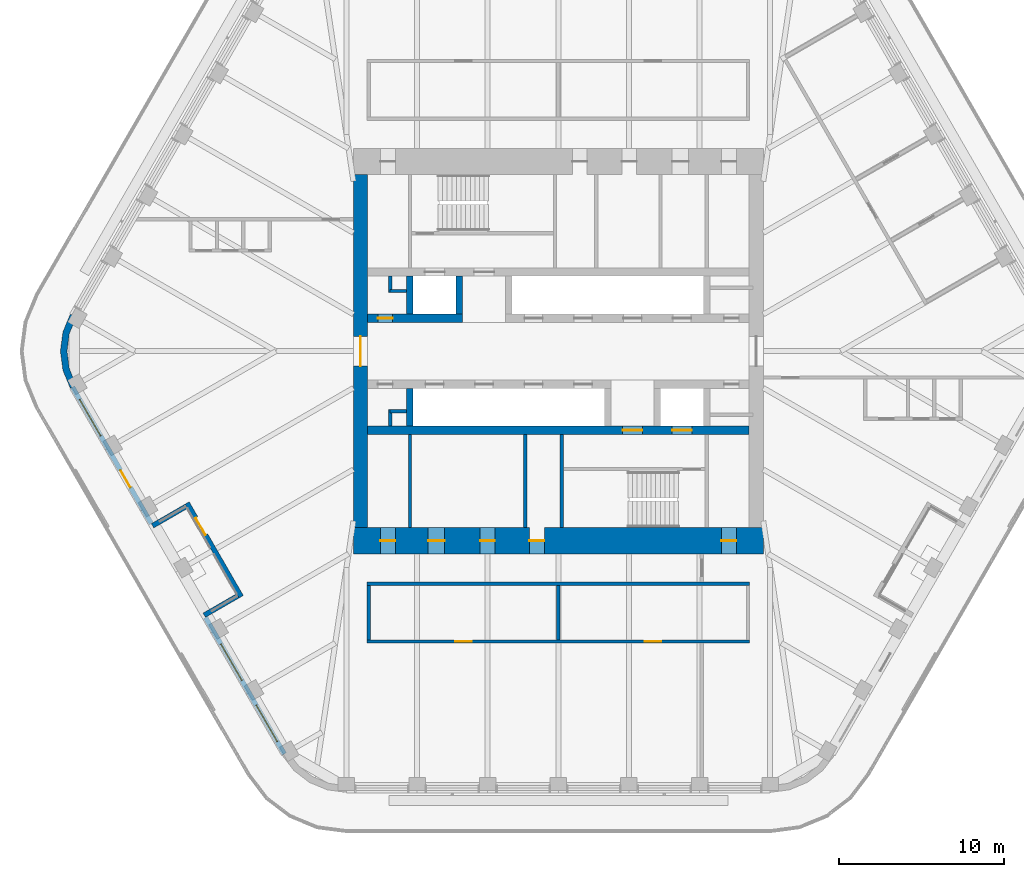
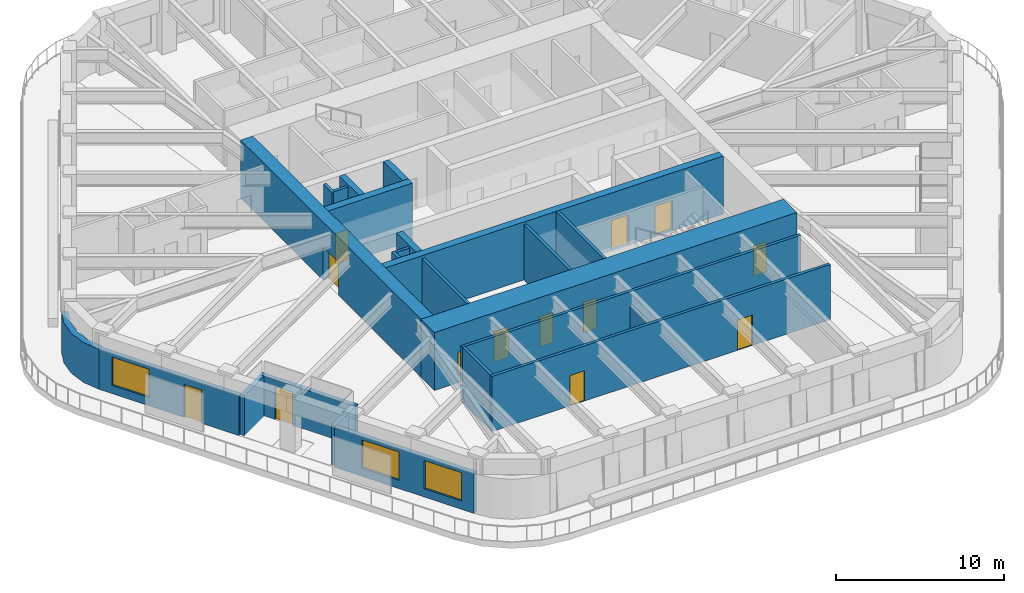
# One storey, part 13 of 19: 24 walls, 13 doors, 3 windows, 16 openings.
"""IFC4 building model written with IfcOpenShell, lengths in metres."""

from ifc_helpers import new_model, si_unit, direction, frame, frame_2d, origin, place, context, subcontext, project, spatial, polyline, rectangle, outline, extrude, material, layer, layer_set, type_object, element, fill, save


model = new_model("IFC4")

# Units and contexts
model_context = context("Model", 3, precision=1e-05, world=origin(), true_north=direction((0.0, 1.0)))
body_context = subcontext(model_context, "Body", "Model", "MODEL_VIEW")
ifc_project = project(units=[si_unit("LENGTHUNIT", "METRE"), si_unit("AREAUNIT", "SQUARE_METRE"), si_unit("VOLUMEUNIT", "CUBIC_METRE"), si_unit("PLANEANGLEUNIT", "RADIAN"), si_unit("MASSUNIT", "GRAM", prefix="KILO")], contexts=[model_context])

# Site, building, storey
site_placement = place(None, origin())
site = spatial("IfcSite", under=ifc_project, at=site_placement, CompositionType="ELEMENT")
building_placement = place(site_placement, origin())
building = spatial("IfcBuilding", under=site, at=building_placement, Name="Tarfa Lantern Tower", CompositionType="ELEMENT")
storey_placement = place(building_placement, frame((0.0, 0.0, 340.89990234375)))
storey = spatial("IfcBuildingStorey", under=building, at=storey_placement, Name="L77", CompositionType="ELEMENT", Elevation=340.89990234375)

# Wall, openings, door, window
ifc_material_1 = material(Name="Limestone cladding on blockwork", Category="masonry")
ifc_layer_1 = layer(ifc_material_1, 0.300048828125)
ifc_layer_set_1 = layer_set([ifc_layer_1], Name="EW1 STONE-CLAD WALL 300")
wall_type_1 = type_object("IfcWallType", Name="EW1 STONE-CLAD WALL 300", PredefinedType="SOLIDWALL", material=ifc_layer_set_1)
wall_1_placement = place(storey_placement, frame((-29.459228515625, -2.175048828125, 0.0), z_axis=(0.0, 0.0, 1.0), x_axis=(0.499996453679, -0.866027451244, 0.0)))
wall_1 = element("IfcWall", 1, at=wall_1_placement, inside=storey, type_object=wall_type_1, Name="Stone wall SW", PredefinedType="SOLIDWALL", context=body_context, shape_type="SweptSolid", body=[
    extrude(rectangle(XDim=9.56396484375, YDim=0.300048828125, at=frame_2d((4.781982421875, 0.0))), origin(), (0.0, 0.0, 1.0), 2.900146484375),
])
opening_1_placement = place(wall_1_placement, frame((0.865966796875, 0.0, 0.60009765625)))
opening_1 = element("IfcOpeningElement", 2, at=opening_1_placement, cuts=wall_1, Name="Opening W17", PredefinedType="OPENING", context=body_context, shape_type="SweptSolid", body=[
    extrude(rectangle(XDim=2.550048828125, YDim=2.050048828125, at=frame_2d((1.27490234375, 1.02490234375))), frame((0.0, 0.159912109375, 0.0), z_axis=(0.0, -1.0, 0.0), x_axis=(1.0, 0.0, 0.0)), (0.0, 0.0, 1.0), 0.320068359375),
])
opening_2_placement = place(wall_1_placement, frame((5.822998046875, 0.0, 0.0)))
opening_2 = element("IfcOpeningElement", 3, at=opening_2_placement, cuts=wall_1, Name="Opening D42", PredefinedType="OPENING", context=body_context, shape_type="SweptSolid", body=[
    extrude(rectangle(XDim=1.199951171875, YDim=2.39990234375, at=frame_2d((0.60009765625, 1.199951171875))), frame((0.0, 0.159912109375, 0.0), z_axis=(0.0, -1.0, 0.0), x_axis=(1.0, 0.0, 0.0)), (0.0, 0.0, 1.0), 0.320068359375),
])
ifc_material_2 = material(Name="Aluminium framed glazed door", Category="aluminium")
door_type_1 = type_object("IfcDoorType", Name="BE3 BALCONY DOOR 1200x2400", OperationType="SINGLE_SWING_RIGHT", PredefinedType="DOOR", material=ifc_material_2)
door_1_placement = place(opening_2_placement, origin())
door_1 = element("IfcDoor", 4, at=door_1_placement, inside=storey, type_object=door_type_1, Name="Balcony door SW", OperationType="SINGLE_SWING_LEFT", OverallHeight=2.39990234375, OverallWidth=1.199951171875, PredefinedType="DOOR", context=body_context, shape_type="SweptSolid", body=[
    extrude(rectangle(XDim=1.199951171875, YDim=2.39990234375, at=frame_2d((0.60009765625, 1.199951171875))), frame((0.0, 0.02490234375, 0.0), z_axis=(0.0, -1.0, 0.0), x_axis=(1.0, 0.0, 0.0)), (0.0, 0.0, 1.0), 0.050048828125),
])
fill(opening_2, door_1)
ifc_material_3 = material(Name="Aluminium frame, double glazed", Category="aluminium")
window_type = type_object("IfcWindowType", Name="W17 FULL-HEIGHT GLAZING 2550x2050", PartitioningType="SINGLE_PANEL", PredefinedType="WINDOW", material=ifc_material_3)
window_1_placement = place(opening_1_placement, origin())
window_1 = element("IfcWindow", 5, at=window_1_placement, inside=storey, type_object=window_type, Name="Window SW 1", OverallHeight=2.050048828125, OverallWidth=2.550048828125, PartitioningType="SINGLE_PANEL", PredefinedType="WINDOW", context=body_context, shape_type="SweptSolid", body=[
    extrude(rectangle(XDim=2.550048828125, YDim=2.050048828125, at=frame_2d((1.27490234375, 1.02490234375))), frame((0.0, 0.030029296875, 0.0), z_axis=(0.0, -1.0, 0.0), x_axis=(1.0, 0.0, 0.0)), (0.0, 0.0, 1.0), 0.06005859375),
])
fill(opening_1, window_1)

# Wall, openings, windows
wall_2_placement = place(storey_placement, frame((-21.395263671875, -16.142333984375, 0.0), z_axis=(0.0, 0.0, 1.0), x_axis=(0.499996453679, -0.866027451244, 0.0)))
wall_2 = element("IfcWall", 6, at=wall_2_placement, inside=storey, type_object=wall_type_1, Name="Stone wall SWB", PredefinedType="SOLIDWALL", context=body_context, shape_type="SweptSolid", body=[
    extrude(rectangle(XDim=9.56396484375, YDim=0.300048828125, at=frame_2d((4.781982421875, 0.0))), origin(), (0.0, 0.0, 1.0), 2.900146484375),
])
opening_3_placement = place(wall_2_placement, frame((1.865966796875, 0.0, 0.60009765625)))
opening_3 = element("IfcOpeningElement", 7, at=opening_3_placement, cuts=wall_2, Name="Opening W17", PredefinedType="OPENING", context=body_context, shape_type="SweptSolid", body=[
    extrude(rectangle(XDim=2.550048828125, YDim=2.050048828125, at=frame_2d((1.27490234375, 1.02490234375))), frame((0.0, 0.159912109375, 0.0), z_axis=(0.0, -1.0, 0.0), x_axis=(1.0, 0.0, 0.0)), (0.0, 0.0, 1.0), 0.320068359375),
])
opening_4_placement = place(wall_2_placement, frame((6.14794921875, 0.0, 0.60009765625)))
opening_4 = element("IfcOpeningElement", 8, at=opening_4_placement, cuts=wall_2, Name="Opening W17", PredefinedType="OPENING", context=body_context, shape_type="SweptSolid", body=[
    extrude(rectangle(XDim=2.550048828125, YDim=2.050048828125, at=frame_2d((1.27490234375, 1.02490234375))), frame((0.0, 0.159912109375, 0.0), z_axis=(0.0, -1.0, 0.0), x_axis=(1.0, 0.0, 0.0)), (0.0, 0.0, 1.0), 0.320068359375),
])
window_2_placement = place(opening_3_placement, origin())
window_2 = element("IfcWindow", 9, at=window_2_placement, inside=storey, type_object=window_type, Name="Window SWB 1", OverallHeight=2.050048828125, OverallWidth=2.550048828125, PartitioningType="SINGLE_PANEL", PredefinedType="WINDOW", context=body_context, shape_type="SweptSolid", body=[
    extrude(rectangle(XDim=2.550048828125, YDim=2.050048828125, at=frame_2d((1.27490234375, 1.02490234375))), frame((0.0, 0.030029296875, 0.0), z_axis=(0.0, -1.0, 0.0), x_axis=(1.0, 0.0, 0.0)), (0.0, 0.0, 1.0), 0.06005859375),
])
fill(opening_3, window_2)
window_3_placement = place(opening_4_placement, origin())
window_3 = element("IfcWindow", 10, at=window_3_placement, inside=storey, type_object=window_type, Name="Window SWB 2", OverallHeight=2.050048828125, OverallWidth=2.550048828125, PartitioningType="SINGLE_PANEL", PredefinedType="WINDOW", context=body_context, shape_type="SweptSolid", body=[
    extrude(rectangle(XDim=2.550048828125, YDim=2.050048828125, at=frame_2d((1.27490234375, 1.02490234375))), frame((0.0, 0.030029296875, 0.0), z_axis=(0.0, -1.0, 0.0), x_axis=(1.0, 0.0, 0.0)), (0.0, 0.0, 1.0), 0.06005859375),
])
fill(opening_4, window_3)

# Walls
for number, where, z_axis, x_axis, name in (
    (11, (-24.602294921875, -10.587646484375, 0.0), (0.0, 0.0, 1.0), (0.866016039709, 0.500016218704, 0.0), "Terrace return SW 1"),
    (12, (-21.47021484375, -16.012451171875, 0.0), (0.0, 0.0, 1.0), (0.866016039709, 0.500016218704, 0.0), "Terrace return SW 2"),
):
    element("IfcWall", number, at=place(storey_placement, frame(where, z_axis=z_axis, x_axis=x_axis)), inside=storey, type_object=wall_type_1, Name=name, PredefinedType="SOLIDWALL", context=body_context, shape_type="SweptSolid", body=[
        extrude(rectangle(XDim=2.35009765625, YDim=0.300048828125, at=frame_2d((1.175048828125, 0.0))), origin(), (0.0, 0.0, 1.0), 2.900146484375),
    ])

# Wall, opening, door
wall_3_placement = place(storey_placement, frame((-22.51220703125, -9.207763671875, 0.0), z_axis=(0.0, 0.0, 1.0), x_axis=(0.499999339774, -0.866025784966, 0.0)))
wall_3 = element("IfcWall", 13, at=wall_3_placement, inside=storey, type_object=wall_type_1, Name="Stone wall SWS", PredefinedType="SOLIDWALL", context=body_context, shape_type="SweptSolid", body=[
    extrude(rectangle(XDim=6.56396484375, YDim=0.300048828125, at=frame_2d((3.281982421875, 0.0))), origin(), (0.0, 0.0, 1.0), 2.900146484375),
])
opening_5_placement = place(wall_3_placement, frame((1.041015625, 0.0, 0.0)))
opening_5 = element("IfcOpeningElement", 14, at=opening_5_placement, cuts=wall_3, Name="Opening D43", PredefinedType="OPENING", context=body_context, shape_type="SweptSolid", body=[
    extrude(rectangle(XDim=1.199951171875, YDim=2.39990234375, at=frame_2d((0.60009765625, 1.199951171875))), frame((0.0, 0.159912109375, 0.0), z_axis=(0.0, -1.0, 0.0), x_axis=(1.0, 0.0, 0.0)), (0.0, 0.0, 1.0), 0.320068359375),
])
door_2_placement = place(opening_5_placement, origin())
door_2 = element("IfcDoor", 15, at=door_2_placement, inside=storey, type_object=door_type_1, Name="Balcony door SWS", OperationType="SINGLE_SWING_RIGHT", OverallHeight=2.39990234375, OverallWidth=1.199951171875, PredefinedType="DOOR", context=body_context, shape_type="SweptSolid", body=[
    extrude(rectangle(XDim=1.199951171875, YDim=2.39990234375, at=frame_2d((0.60009765625, 1.199951171875))), frame((0.0, 0.02490234375, 0.0), z_axis=(0.0, -1.0, 0.0), x_axis=(1.0, 0.0, 0.0)), (0.0, 0.0, 1.0), 0.050048828125),
])
fill(opening_5, door_2)

# Walls
ifc_layer_2 = layer(ifc_material_1, 0.39990234375)
ifc_layer_set_2 = layer_set([ifc_layer_2], Name="EW2 CURVED STONE CORNER 400")
wall_type_2 = type_object("IfcWallType", Name="EW2 CURVED STONE CORNER 400", PredefinedType="SOLIDWALL", material=ifc_layer_set_2)
wall_4_placement = place(storey_placement, origin())
element("IfcWall", 16, at=wall_4_placement, inside=storey, type_object=wall_type_2, Name="Stone corner NW-SW", PredefinedType="SOLIDWALL", context=body_context, shape_type="SweptSolid", body=[
    extrude(outline(polyline([(-29.589111328125, 2.25), (-30.038818359375, 1.164794921875), (-30.192138671875, 0.0), (-30.038818359375, -1.164794921875), (-29.589111328125, -2.25), (-29.24267578125, -2.050048828125), (-29.65234375, -1.061279296875), (-29.7919921875, 0.0), (-29.65234375, 1.061279296875), (-29.24267578125, 2.050048828125), (-29.589111328125, 2.25)])), origin(), (0.0, 0.0, 1.0), 2.900146484375),
])
ifc_material_4 = material(Name="Concrete blockwork", Category="masonry")
ifc_layer_3 = layer(ifc_material_4, 0.199951171875)
ifc_layer_set_3 = layer_set([ifc_layer_3], Name="IW1 BLOCKWORK PARTITION 200 EI 120")
wall_type_3 = type_object("IfcWallType", Name="IW1 BLOCKWORK PARTITION 200 EI 120", PredefinedType="PARTITIONING", material=ifc_layer_set_3)
for number, where, z_axis, x_axis, name in (
    (17, (-9.0, -5.050048828125, 0.0), (0.0, 0.0, 1.0), (0.0, -1.0, 0.0), "Core partition"),
    (18, (-2.0, -5.050048828125, 0.0), (0.0, 0.0, 1.0), (0.0, -1.0, 0.0), "Core partition"),
):
    element("IfcWall", number, at=place(storey_placement, frame(where, z_axis=z_axis, x_axis=x_axis)), inside=storey, type_object=wall_type_3, Name=name, PredefinedType="PARTITIONING", context=body_context, shape_type="SweptSolid", body=[
        extrude(rectangle(XDim=5.64990234375, YDim=0.199951171875, at=frame_2d((2.824951171875, 0.0))), origin(), (0.0, 0.0, 1.0), 4.0),
    ])
for number, where, z_axis, x_axis, name in (
    (19, (-10.199951171875, 3.64990234375, 0.0), (0.0, 0.0, 1.0), (1.0, 0.0, 0.0), "Core partition"),
    (20, (-10.199951171875, 3.550048828125, 0.0), (0.0, 0.0, 1.0), (0.0, 1.0, 0.0), "Core partition"),
    (21, (-9.199951171875, -3.64990234375, 0.0), (0.0, 0.0, 1.0), (-1.0, 0.0, 0.0), "Core partition"),
    (22, (-10.199951171875, -3.550048828125, 0.0), (0.0, 0.0, 1.0), (0.0, -1.0, 0.0), "Core partition"),
):
    element("IfcWall", number, at=place(storey_placement, frame(where, z_axis=z_axis, x_axis=x_axis)), inside=storey, type_object=wall_type_3, Name=name, PredefinedType="PARTITIONING", context=body_context, shape_type="SweptSolid", body=[
        extrude(rectangle(XDim=1.0, YDim=0.199951171875, at=frame_2d((0.5, 0.0))), origin(), (0.0, 0.0, 1.0), 4.0),
    ])
ifc_material_5 = material(Name="Gypsum board on steel studs", Category="steel")
ifc_layer_4 = layer(ifc_material_5, 0.2099609375)
ifc_layer_set_4 = layer_set([ifc_layer_4], Name="IW2 ACOUSTIC PARTITION 200")
wall_type_4 = type_object("IfcWallType", Name="IW2 ACOUSTIC PARTITION 200", PredefinedType="PARTITIONING", material=ifc_layer_set_4)
wall_5_placement = place(storey_placement, frame((11.60009765625, -14.10009765625, 0.0), z_axis=(0.0, 0.0, 1.0), x_axis=(-1.0, 0.0, 0.0)))
element("IfcWall", 23, at=wall_5_placement, inside=storey, type_object=wall_type_4, Name="Partition", PredefinedType="PARTITIONING", context=body_context, shape_type="SweptSolid", body=[
    extrude(rectangle(XDim=23.2001953125, YDim=0.199951171875, at=frame_2d((11.60009765625, 0.0))), origin(), (0.0, 0.0, 1.0), 4.0),
])

# Wall, openings, doors
wall_6_placement = place(storey_placement, frame((11.60009765625, -17.60009765625, 0.0), z_axis=(0.0, 0.0, 1.0), x_axis=(-1.0, 0.0, 0.0)))
wall_6 = element("IfcWall", 24, at=wall_6_placement, inside=storey, type_object=wall_type_4, Name="Partition", PredefinedType="PARTITIONING", context=body_context, shape_type="SweptSolid", body=[
    extrude(rectangle(XDim=23.2001953125, YDim=0.199951171875, at=frame_2d((11.60009765625, 0.0))), origin(), (0.0, 0.0, 1.0), 4.0),
])
opening_6_placement = place(wall_6_placement, frame((5.35009765625, 0.0, 0.0)))
opening_6 = element("IfcOpeningElement", 25, at=opening_6_placement, cuts=wall_6, Name="Opening D27", PredefinedType="OPENING", context=body_context, shape_type="SweptSolid", body=[
    extrude(rectangle(XDim=1.0, YDim=2.199951171875, at=frame_2d((0.5, 1.10009765625))), frame((0.0, 0.10986328125, 0.0), z_axis=(0.0, -1.0, 0.0), x_axis=(1.0, 0.0, 0.0)), (0.0, 0.0, 1.0), 0.219970703125),
])
opening_7_placement = place(wall_6_placement, frame((16.85009765625, 0.0, 0.0)))
opening_7 = element("IfcOpeningElement", 26, at=opening_7_placement, cuts=wall_6, Name="Opening D28", PredefinedType="OPENING", context=body_context, shape_type="SweptSolid", body=[
    extrude(rectangle(XDim=1.0, YDim=2.199951171875, at=frame_2d((0.5, 1.10009765625))), frame((0.0, 0.10986328125, 0.0), z_axis=(0.0, -1.0, 0.0), x_axis=(1.0, 0.0, 0.0)), (0.0, 0.0, 1.0), 0.219970703125),
])
ifc_material_6 = material(Name="Timber door", Category="wood")
door_type_2 = type_object("IfcDoorType", Name="DR1 ROOM DOOR 1000x2200", OperationType="SINGLE_SWING_LEFT", PredefinedType="DOOR", material=ifc_material_6)
door_3_placement = place(opening_6_placement, frame((1.0, 0.0, 0.0), z_axis=(0.0, 0.0, 1.0), x_axis=(-1.0, 0.0, 0.0)))
door_3 = element("IfcDoor", 27, at=door_3_placement, inside=storey, type_object=door_type_2, Name="Stationery store door", OperationType="SINGLE_SWING_LEFT", OverallHeight=2.199951171875, OverallWidth=1.0, PredefinedType="DOOR", context=body_context, shape_type="SweptSolid", body=[
    extrude(rectangle(XDim=1.0, YDim=2.199951171875, at=frame_2d((0.5, 1.10009765625))), frame((0.0, 0.02490234375, 0.0), z_axis=(0.0, -1.0, 0.0), x_axis=(1.0, 0.0, 0.0)), (0.0, 0.0, 1.0), 0.050048828125),
])
fill(opening_6, door_3)
door_4_placement = place(opening_7_placement, frame((1.0, 0.0, 0.0), z_axis=(0.0, 0.0, 1.0), x_axis=(-1.0, 0.0, 0.0)))
door_4 = element("IfcDoor", 28, at=door_4_placement, inside=storey, type_object=door_type_2, Name="Supplies store door", OperationType="SINGLE_SWING_RIGHT", OverallHeight=2.199951171875, OverallWidth=1.0, PredefinedType="DOOR", context=body_context, shape_type="SweptSolid", body=[
    extrude(rectangle(XDim=1.0, YDim=2.199951171875, at=frame_2d((0.5, 1.10009765625))), frame((0.0, 0.02490234375, 0.0), z_axis=(0.0, -1.0, 0.0), x_axis=(1.0, 0.0, 0.0)), (0.0, 0.0, 1.0), 0.050048828125),
])
fill(opening_7, door_4)

# Walls
wall_7_placement = place(storey_placement, frame((0.0, -14.199951171875, 0.0), z_axis=(0.0, 0.0, 1.0), x_axis=(0.0, -1.0, 0.0)))
element("IfcWall", 29, at=wall_7_placement, inside=storey, type_object=wall_type_4, Name="Partition", PredefinedType="PARTITIONING", context=body_context, shape_type="SweptSolid", body=[
    extrude(rectangle(XDim=3.300048828125, YDim=0.199951171875, at=frame_2d((1.64990234375, 0.0))), origin(), (0.0, 0.0, 1.0), 2.991943359375),
])
wall_8_placement = place(storey_placement, frame((-11.5, -14.199951171875, 0.0), z_axis=(0.0, 0.0, 1.0), x_axis=(0.0, -1.0, 0.0)))
element("IfcWall", 30, at=wall_8_placement, inside=storey, type_object=wall_type_4, Name="Partition", PredefinedType="PARTITIONING", context=body_context, shape_type="SweptSolid", body=[
    extrude(rectangle(XDim=3.300048828125, YDim=0.199951171875, at=frame_2d((1.64990234375, 0.0))), origin(), (0.0, 0.0, 1.0), 4.0),
])
ifc_material_7 = material(Name="Concrete C80/95", Category="concrete")
ifc_layer_5 = layer(ifc_material_7, 0.199951171875)
ifc_layer_set_5 = layer_set([ifc_layer_5], Name="SW12 CORE WALL 200")
wall_type_5 = type_object("IfcWallType", Name="SW12 CORE WALL 200", PredefinedType="SHEAR", material=ifc_layer_set_5)
wall_9_placement = place(storey_placement, frame((0.199951171875, -5.050048828125, 0.0), z_axis=(0.0, 0.0, 1.0), x_axis=(0.0, -1.0, 0.0)))
element("IfcWall", 31, at=wall_9_placement, inside=storey, type_object=wall_type_5, Name="Core wall stair shaft S", PredefinedType="SHEAR", context=body_context, shape_type="SweptSolid", body=[
    extrude(rectangle(XDim=5.64990234375, YDim=0.199951171875, at=frame_2d((2.824951171875, 0.0))), origin(), (0.0, 0.0, 1.0), 4.2001953125),
])

# Wall, opening, door
ifc_layer_6 = layer(ifc_material_7, 0.85009765625)
ifc_layer_set_6 = layer_set([ifc_layer_6], Name="SW3 CORE WALL 850")
wall_type_6 = type_object("IfcWallType", Name="SW3 CORE WALL 850", PredefinedType="SHEAR", material=ifc_layer_set_6)
wall_10_placement = place(storey_placement, frame((-12.0, 10.699951171875, 0.0), z_axis=(0.0, 0.0, 1.0), x_axis=(0.0, -1.0, 0.0)))
wall_10 = element("IfcWall", 32, at=wall_10_placement, inside=storey, type_object=wall_type_6, Name="Core wall W", PredefinedType="SHEAR", context=body_context, shape_type="SweptSolid", body=[
    extrude(rectangle(XDim=21.39990234375, YDim=0.85009765625, at=frame_2d((10.699951171875, 0.0))), origin(), (0.0, 0.0, 1.0), 4.2001953125),
])
opening_8_placement = place(wall_10_placement, frame((9.800048828125, 0.0, 0.0)))
opening_8 = element("IfcOpeningElement", 33, at=opening_8_placement, cuts=wall_10, Name="Opening D08", PredefinedType="OPENING", context=body_context, shape_type="SweptSolid", body=[
    extrude(rectangle(XDim=1.800048828125, YDim=2.39990234375, at=frame_2d((0.89990234375, 1.199951171875))), frame((0.0, 0.43505859375, 0.0), z_axis=(0.0, -1.0, 0.0), x_axis=(1.0, 0.0, 0.0)), (0.0, 0.0, 1.0), 0.8701171875),
])
ifc_material_8 = material(Name="Steel fire door", Category="steel")
door_type_3 = type_object("IfcDoorType", Name="DL1 LOBBY DOOR 1800x2400", OperationType="DOUBLE_DOOR_SINGLE_SWING", PredefinedType="DOOR", material=ifc_material_8)
door_5_placement = place(opening_8_placement, frame((1.800048828125, 0.0, 0.0), z_axis=(0.0, 0.0, 1.0), x_axis=(-1.0, 0.0, 0.0)))
door_5 = element("IfcDoor", 34, at=door_5_placement, inside=storey, type_object=door_type_3, Name="Lift lobby door", OperationType="DOUBLE_DOOR_SINGLE_SWING", OverallHeight=2.39990234375, OverallWidth=1.800048828125, PredefinedType="DOOR", context=body_context, shape_type="SweptSolid", body=[
    extrude(rectangle(XDim=1.800048828125, YDim=2.39990234375, at=frame_2d((0.89990234375, 1.199951171875))), frame((0.0, 0.02490234375, 0.0), z_axis=(0.0, -1.0, 0.0), x_axis=(1.0, 0.0, 0.0)), (0.0, 0.0, 1.0), 0.050048828125),
])
fill(opening_8, door_5)

ifc_layer_7 = layer(ifc_material_7, 0.5)
ifc_layer_set_7 = layer_set([ifc_layer_7], Name="SW5 CORE WALL 500")
wall_type_7 = type_object("IfcWallType", Name="SW5 CORE WALL 500", PredefinedType="SHEAR", material=ifc_layer_set_7)
wall_11_placement = place(storey_placement, frame((-11.574951171875, 2.0, 0.0), z_axis=(0.0, 0.0, 1.0), x_axis=(1.0, 0.0, 0.0)))
wall_11 = element("IfcWall", 35, at=wall_11_placement, inside=storey, type_object=wall_type_7, Name="Core wall lobby west N", PredefinedType="SHEAR", context=body_context, shape_type="SweptSolid", body=[
    extrude(rectangle(XDim=5.77490234375, YDim=0.5, at=frame_2d((2.887451171875, 0.0))), origin(), (0.0, 0.0, 1.0), 4.2001953125),
])
opening_9_placement = place(wall_11_placement, frame((0.625, 0.0, 0.0)))
opening_9 = element("IfcOpeningElement", 36, at=opening_9_placement, cuts=wall_11, Name="Opening D11", PredefinedType="OPENING", context=body_context, shape_type="SweptSolid", body=[
    extrude(rectangle(XDim=0.89990234375, YDim=2.199951171875, at=frame_2d((0.449951171875, 1.10009765625))), frame((0.0, 0.260009765625, 0.0), z_axis=(0.0, -1.0, 0.0), x_axis=(1.0, 0.0, 0.0)), (0.0, 0.0, 1.0), 0.52001953125),
])
door_type_4 = type_object("IfcDoorType", Name="DF6 SERVICE ROOM DOOR 900x2200", OperationType="SINGLE_SWING_LEFT", PredefinedType="DOOR", material=ifc_material_8)
door_6_placement = place(opening_9_placement, origin())
door_6 = element("IfcDoor", 37, at=door_6_placement, inside=storey, type_object=door_type_4, Name="Service room door", OperationType="SINGLE_SWING_RIGHT", OverallHeight=2.199951171875, OverallWidth=0.89990234375, PredefinedType="DOOR", context=body_context, shape_type="SweptSolid", body=[
    extrude(rectangle(XDim=0.89990234375, YDim=2.199951171875, at=frame_2d((0.449951171875, 1.10009765625))), frame((0.0, 0.02490234375, 0.0), z_axis=(0.0, -1.0, 0.0), x_axis=(1.0, 0.0, 0.0)), (0.0, 0.0, 1.0), 0.050048828125),
])
fill(opening_9, door_6)

# Wall, openings, doors
wall_12_placement = place(storey_placement, frame((11.574951171875, -4.800048828125, 0.0), z_axis=(0.0, 0.0, 1.0), x_axis=(-1.0, 0.0, 0.0)))
wall_12 = element("IfcWall", 38, at=wall_12_placement, inside=storey, type_object=wall_type_7, Name="Core wall rear S", PredefinedType="SHEAR", context=body_context, shape_type="SweptSolid", body=[
    extrude(rectangle(XDim=23.14990234375, YDim=0.5, at=frame_2d((11.574951171875, 0.0))), origin(), (0.0, 0.0, 1.0), 4.2001953125),
])
opening_10_placement = place(wall_12_placement, frame((6.47509765625, 0.0, 0.0)))
opening_10 = element("IfcOpeningElement", 39, at=opening_10_placement, cuts=wall_12, Name="Opening D06", PredefinedType="OPENING", context=body_context, shape_type="SweptSolid", body=[
    extrude(rectangle(XDim=1.199951171875, YDim=2.199951171875, at=frame_2d((0.60009765625, 1.10009765625))), frame((0.0, 0.260009765625, 0.0), z_axis=(0.0, -1.0, 0.0), x_axis=(1.0, 0.0, 0.0)), (0.0, 0.0, 1.0), 0.52001953125),
])
opening_11_placement = place(wall_12_placement, frame((3.47509765625, 0.0, 0.0)))
opening_11 = element("IfcOpeningElement", 40, at=opening_11_placement, cuts=wall_12, Name="Opening LD02", PredefinedType="OPENING", context=body_context, shape_type="SweptSolid", body=[
    extrude(rectangle(XDim=1.199951171875, YDim=2.199951171875, at=frame_2d((0.60009765625, 1.10009765625))), frame((0.0, 0.260009765625, 0.0), z_axis=(0.0, -1.0, 0.0), x_axis=(1.0, 0.0, 0.0)), (0.0, 0.0, 1.0), 0.52001953125),
])
door_type_5 = type_object("IfcDoorType", Name="DF1 FIREFIGHTING LOBBY DOOR 1200x2200", OperationType="SINGLE_SWING_LEFT", PredefinedType="DOOR", material=ifc_material_8)
door_7_placement = place(opening_10_placement, origin())
door_7 = element("IfcDoor", 41, at=door_7_placement, inside=storey, type_object=door_type_5, Name="Firefighting lobby door", OperationType="SINGLE_SWING_LEFT", OverallHeight=2.199951171875, OverallWidth=1.199951171875, PredefinedType="DOOR", context=body_context, shape_type="SweptSolid", body=[
    extrude(rectangle(XDim=1.199951171875, YDim=2.199951171875, at=frame_2d((0.60009765625, 1.10009765625))), frame((0.0, 0.02490234375, 0.0), z_axis=(0.0, -1.0, 0.0), x_axis=(1.0, 0.0, 0.0)), (0.0, 0.0, 1.0), 0.050048828125),
])
fill(opening_10, door_7)
ifc_material_9 = material(Name="Stainless steel lift door", Category="steel")
door_type_6 = type_object("IfcDoorType", Name="LD1 LIFT LANDING DOOR 1200x2200", OperationType="SLIDING_TO_LEFT", PredefinedType="DOOR", material=ifc_material_9)
door_8_placement = place(opening_11_placement, origin())
door_8 = element("IfcDoor", 42, at=door_8_placement, inside=storey, type_object=door_type_6, Name="Landing door FL2", OperationType="SLIDING_TO_LEFT", OverallHeight=2.199951171875, OverallWidth=1.199951171875, PredefinedType="DOOR", context=body_context, shape_type="SweptSolid", body=[
    extrude(rectangle(XDim=1.199951171875, YDim=2.199951171875, at=frame_2d((0.60009765625, 1.10009765625))), frame((0.0, 0.02490234375, 0.0), z_axis=(0.0, -1.0, 0.0), x_axis=(1.0, 0.0, 0.0)), (0.0, 0.0, 1.0), 0.050048828125),
])
fill(opening_11, door_8)

# Walls
ifc_layer_8 = layer(ifc_material_7, 0.39990234375)
ifc_layer_set_8 = layer_set([ifc_layer_8], Name="SW6 CORE WALL 400")
wall_type_8 = type_object("IfcWallType", Name="SW6 CORE WALL 400", PredefinedType="SHEAR", material=ifc_layer_set_8)
for number, where, z_axis, x_axis, name in (
    (43, (-9.0, 2.25, 0.0), (0.0, 0.0, 1.0), (0.0, 1.0, 0.0), "Core wall divider N"),
    (44, (-6.0, 2.25, 0.0), (0.0, 0.0, 1.0), (0.0, 1.0, 0.0), "Core wall divider N"),
    (45, (-9.0, -2.25, 0.0), (0.0, 0.0, 1.0), (0.0, -1.0, 0.0), "Core wall divider S"),
):
    element("IfcWall", number, at=place(storey_placement, frame(where, z_axis=z_axis, x_axis=x_axis)), inside=storey, type_object=wall_type_8, Name=name, PredefinedType="SHEAR", context=body_context, shape_type="SweptSolid", body=[
        extrude(rectangle(XDim=2.300048828125, YDim=0.39990234375, at=frame_2d((1.14990234375, 0.0))), origin(), (0.0, 0.0, 1.0), 4.2001953125),
    ])

# Wall, openings, doors
ifc_layer_9 = layer(ifc_material_7, 1.60009765625)
ifc_layer_set_9 = layer_set([ifc_layer_9], Name="SW7 CORE WALL 1600")
wall_type_9 = type_object("IfcWallType", Name="SW7 CORE WALL 1600", PredefinedType="SHEAR", material=ifc_layer_set_9)
wall_13_placement = place(storey_placement, frame((12.425048828125, -11.5, 0.0), z_axis=(0.0, 0.0, 1.0), x_axis=(-1.0, 0.0, 0.0)))
wall_13 = element("IfcWall", 46, at=wall_13_placement, inside=storey, type_object=wall_type_9, Name="Core wall S", PredefinedType="SHEAR", context=body_context, shape_type="SweptSolid", body=[
    extrude(rectangle(XDim=24.85009765625, YDim=1.60009765625, at=frame_2d((12.425048828125, 0.0))), origin(), (0.0, 0.0, 1.0), 4.2001953125),
])
opening_12_placement = place(wall_13_placement, frame((13.27490234375, 0.0, 0.0)))
opening_12 = element("IfcOpeningElement", 47, at=opening_12_placement, cuts=wall_13, Name="Opening D14", PredefinedType="OPENING", context=body_context, shape_type="SweptSolid", body=[
    extrude(rectangle(XDim=0.89990234375, YDim=2.199951171875, at=frame_2d((0.449951171875, 1.10009765625))), frame((0.0, 0.81005859375, 0.0), z_axis=(0.0, -1.0, 0.0), x_axis=(1.0, 0.0, 0.0)), (0.0, 0.0, 1.0), 1.6201171875),
])
opening_13_placement = place(wall_13_placement, frame((16.27490234375, 0.0, 0.0)))
opening_13 = element("IfcOpeningElement", 48, at=opening_13_placement, cuts=wall_13, Name="Opening D16", PredefinedType="OPENING", context=body_context, shape_type="SweptSolid", body=[
    extrude(rectangle(XDim=0.89990234375, YDim=2.199951171875, at=frame_2d((0.449951171875, 1.10009765625))), frame((0.0, 0.81005859375, 0.0), z_axis=(0.0, -1.0, 0.0), x_axis=(1.0, 0.0, 0.0)), (0.0, 0.0, 1.0), 1.6201171875),
])
opening_14_placement = place(wall_13_placement, frame((19.324951171875, 0.0, 0.0)))
opening_14 = element("IfcOpeningElement", 49, at=opening_14_placement, cuts=wall_13, Name="Opening D18", PredefinedType="OPENING", context=body_context, shape_type="SweptSolid", body=[
    extrude(rectangle(XDim=1.0, YDim=2.199951171875, at=frame_2d((0.5, 1.10009765625))), frame((0.0, 0.81005859375, 0.0), z_axis=(0.0, -1.0, 0.0), x_axis=(1.0, 0.0, 0.0)), (0.0, 0.0, 1.0), 1.6201171875),
])
opening_15_placement = place(wall_13_placement, frame((1.637451171875, 0.0, 0.0)))
opening_15 = element("IfcOpeningElement", 50, at=opening_15_placement, cuts=wall_13, Name="Opening D04", PredefinedType="OPENING", context=body_context, shape_type="SweptSolid", body=[
    extrude(rectangle(XDim=0.89990234375, YDim=2.199951171875, at=frame_2d((0.449951171875, 1.10009765625))), frame((0.0, 0.81005859375, 0.0), z_axis=(0.0, -1.0, 0.0), x_axis=(1.0, 0.0, 0.0)), (0.0, 0.0, 1.0), 1.6201171875),
])
opening_16_placement = place(wall_13_placement, frame((22.3125, 0.0, 0.0)))
opening_16 = element("IfcOpeningElement", 51, at=opening_16_placement, cuts=wall_13, Name="Opening D02", PredefinedType="OPENING", context=body_context, shape_type="SweptSolid", body=[
    extrude(rectangle(XDim=0.89990234375, YDim=2.199951171875, at=frame_2d((0.449951171875, 1.10009765625))), frame((0.0, 0.81005859375, 0.0), z_axis=(0.0, -1.0, 0.0), x_axis=(1.0, 0.0, 0.0)), (0.0, 0.0, 1.0), 1.6201171875),
])
door_type_7 = type_object("IfcDoorType", Name="DF3 CORE ROOM DOOR 900x2200", OperationType="SINGLE_SWING_LEFT", PredefinedType="DOOR", material=ifc_material_8)
door_9_placement = place(opening_12_placement, frame((0.89990234375, 0.0, 0.0), z_axis=(0.0, 0.0, 1.0), x_axis=(-1.0, 0.0, 0.0)))
door_9 = element("IfcDoor", 52, at=door_9_placement, inside=storey, type_object=door_type_7, Name="Core door", OperationType="SINGLE_SWING_RIGHT", OverallHeight=2.199951171875, OverallWidth=0.89990234375, PredefinedType="DOOR", context=body_context, shape_type="SweptSolid", body=[
    extrude(rectangle(XDim=0.89990234375, YDim=2.199951171875, at=frame_2d((0.449951171875, 1.10009765625))), frame((0.0, 0.02490234375, 0.0), z_axis=(0.0, -1.0, 0.0), x_axis=(1.0, 0.0, 0.0)), (0.0, 0.0, 1.0), 0.050048828125),
])
fill(opening_12, door_9)
door_10_placement = place(opening_13_placement, frame((0.89990234375, 0.0, 0.0), z_axis=(0.0, 0.0, 1.0), x_axis=(-1.0, 0.0, 0.0)))
door_10 = element("IfcDoor", 53, at=door_10_placement, inside=storey, type_object=door_type_7, Name="Core door", OperationType="SINGLE_SWING_LEFT", OverallHeight=2.199951171875, OverallWidth=0.89990234375, PredefinedType="DOOR", context=body_context, shape_type="SweptSolid", body=[
    extrude(rectangle(XDim=0.89990234375, YDim=2.199951171875, at=frame_2d((0.449951171875, 1.10009765625))), frame((0.0, 0.02490234375, 0.0), z_axis=(0.0, -1.0, 0.0), x_axis=(1.0, 0.0, 0.0)), (0.0, 0.0, 1.0), 0.050048828125),
])
fill(opening_13, door_10)
door_type_8 = type_object("IfcDoorType", Name="DF4 CORE ROOM DOOR 1000x2200", OperationType="SINGLE_SWING_LEFT", PredefinedType="DOOR", material=ifc_material_8)
door_11_placement = place(opening_14_placement, frame((1.0, 0.0, 0.0), z_axis=(0.0, 0.0, 1.0), x_axis=(-1.0, 0.0, 0.0)))
door_11 = element("IfcDoor", 54, at=door_11_placement, inside=storey, type_object=door_type_8, Name="Core door", OperationType="SINGLE_SWING_RIGHT", OverallHeight=2.199951171875, OverallWidth=1.0, PredefinedType="DOOR", context=body_context, shape_type="SweptSolid", body=[
    extrude(rectangle(XDim=1.0, YDim=2.199951171875, at=frame_2d((0.5, 1.10009765625))), frame((0.0, 0.02490234375, 0.0), z_axis=(0.0, -1.0, 0.0), x_axis=(1.0, 0.0, 0.0)), (0.0, 0.0, 1.0), 0.050048828125),
])
fill(opening_14, door_11)
door_type_9 = type_object("IfcDoorType", Name="DF5 RISER DOOR 900x2200", OperationType="SINGLE_SWING_LEFT", PredefinedType="DOOR", material=ifc_material_8)
door_12_placement = place(opening_15_placement, frame((0.89990234375, 0.0, 0.0), z_axis=(0.0, 0.0, 1.0), x_axis=(-1.0, 0.0, 0.0)))
door_12 = element("IfcDoor", 55, at=door_12_placement, inside=storey, type_object=door_type_9, Name="Riser door", OperationType="SINGLE_SWING_LEFT", OverallHeight=2.199951171875, OverallWidth=0.89990234375, PredefinedType="DOOR", context=body_context, shape_type="SweptSolid", body=[
    extrude(rectangle(XDim=0.89990234375, YDim=2.199951171875, at=frame_2d((0.449951171875, 1.10009765625))), frame((0.0, 0.02490234375, 0.0), z_axis=(0.0, -1.0, 0.0), x_axis=(1.0, 0.0, 0.0)), (0.0, 0.0, 1.0), 0.050048828125),
])
fill(opening_15, door_12)
door_13_placement = place(opening_16_placement, frame((0.89990234375, 0.0, 0.0), z_axis=(0.0, 0.0, 1.0), x_axis=(-1.0, 0.0, 0.0)))
door_13 = element("IfcDoor", 56, at=door_13_placement, inside=storey, type_object=door_type_9, Name="Riser door", OperationType="SINGLE_SWING_RIGHT", OverallHeight=2.199951171875, OverallWidth=0.89990234375, PredefinedType="DOOR", context=body_context, shape_type="SweptSolid", body=[
    extrude(rectangle(XDim=0.89990234375, YDim=2.199951171875, at=frame_2d((0.449951171875, 1.10009765625))), frame((0.0, 0.02490234375, 0.0), z_axis=(0.0, -1.0, 0.0), x_axis=(1.0, 0.0, 0.0)), (0.0, 0.0, 1.0), 0.050048828125),
])
fill(opening_16, door_13)

save(model, "model.ifc")
